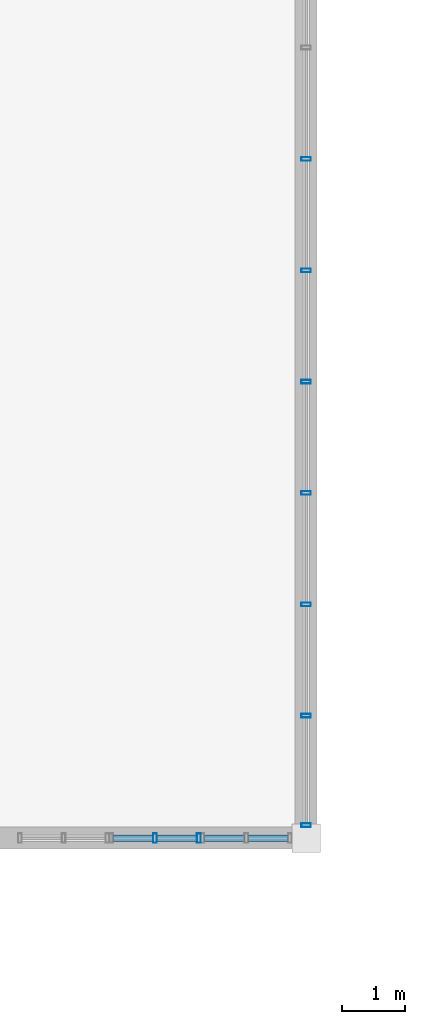
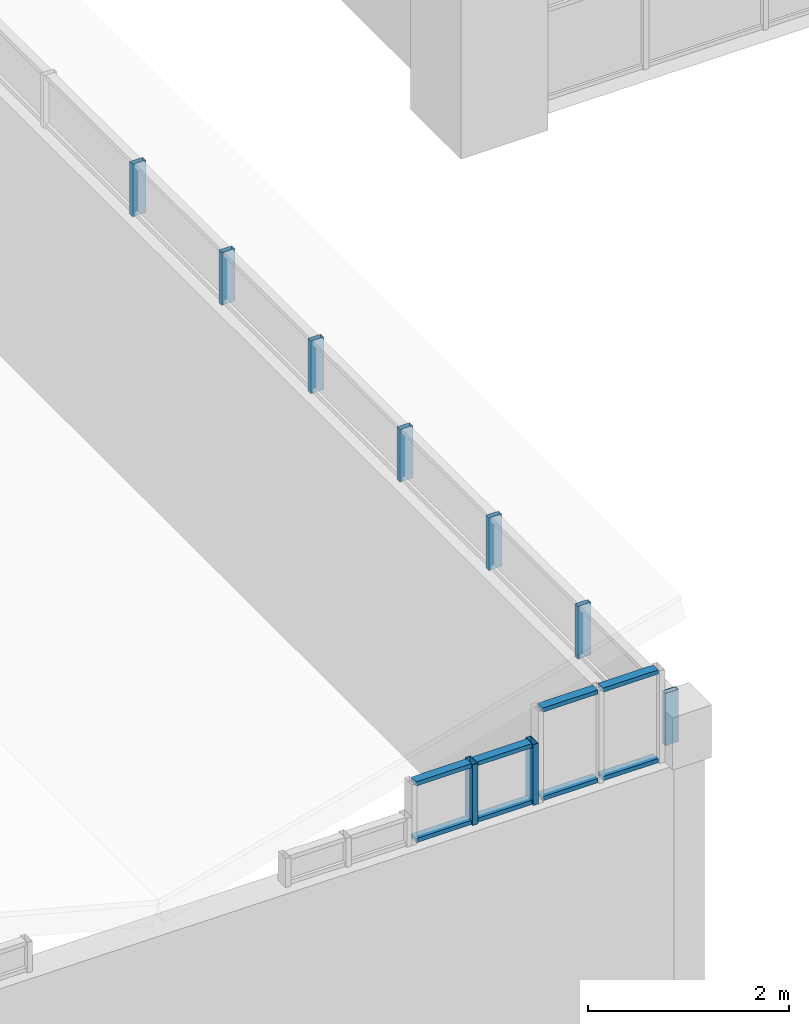
# One storey, part 46 of 92: 17 members, 3 elements without a shape of their own.
"""IFC4 building model written with IfcOpenShell, lengths in metres."""

from ifc_helpers import new_model, si_unit, direction, frame, origin, origin_2d, place, context, subcontext, project, spatial, hollow_rectangle, extrude, material, material_profile, profile_set, type_object, element, aggregate, save


model = new_model("IFC4")

# Units and contexts
model_context = context("Model", 3, precision=1e-05, world=origin(), true_north=direction((0.0, 1.0)))
body_context = subcontext(model_context, "Body", "Model", "MODEL_VIEW")
ifc_project = project(units=[si_unit("LENGTHUNIT", "METRE"), si_unit("AREAUNIT", "SQUARE_METRE"), si_unit("VOLUMEUNIT", "CUBIC_METRE"), si_unit("PLANEANGLEUNIT", "RADIAN"), si_unit("MASSUNIT", "GRAM", prefix="KILO")], contexts=[model_context])

# Site, building, storey
site_placement = place(None, origin())
site = spatial("IfcSite", under=ifc_project, at=site_placement, CompositionType="ELEMENT")
building_placement = place(site_placement, origin())
building = spatial("IfcBuilding", under=site, at=building_placement, Name="Laocheng Heights Fire and Rescue Headquarters", CompositionType="ELEMENT")
storey_placement = place(building_placement, frame((0.0, 0.0, 12.60009765625)))
storey = spatial("IfcBuildingStorey", under=building, at=storey_placement, Name="L03", CompositionType="ELEMENT", Elevation=12.60009765625)

# Curtain wall, members
ifc_material_1 = material(Name="Dark anodised aluminium unitised curtain wall, low-e double glazing", Category="aluminium")
curtain_wall_type_1 = type_object("IfcCurtainWallType", Name="CW 21250 x 636 THEATRE CLERESTORY", PredefinedType="NOTDEFINED", material=ifc_material_1)
curtain_wall_1_placement = place(storey_placement, origin())
curtain_wall_1 = element("IfcCurtainWall", 1, at=curtain_wall_1_placement, inside=storey, type_object=curtain_wall_type_1, Name="X5-V THEATRE CLERESTORY EAST", PredefinedType="NOTDEFINED")
ifc_material_2 = material(Name="Dark anodised aluminium 6063-T5 extrusion", Category="aluminium")
ifc_material_profile_1 = material_profile(ifc_material_2, hollow_rectangle(XDim=0.14990234375, YDim=0.06005859375, WallThickness=0.0029296875, at=origin_2d()), Name="AL MULLION 150x60x3 THEATRE CLERESTORY")
ifc_profile_set_1 = profile_set([ifc_material_profile_1], Name="Dark anodised aluminium 6063-T5 extrusion")
member_type_1 = type_object("IfcMemberType", Name="AL MULLION 150x60x3 THEATRE CLERESTORY", PredefinedType="MULLION", material=ifc_profile_set_1)
member_1_placement = place(storey_placement, frame((30.0, 36.205078125, 3.14990234375), z_axis=(0.0, 0.0, 1.0), x_axis=(-1.0, 0.0, 0.0)))
member_1 = element("IfcMember", 2, at=member_1_placement, type_object=member_type_1, Name="X5-V mullion 1", PredefinedType="MULLION", context=body_context, shape_type="SweptSolid", body=[
    extrude(hollow_rectangle(XDim=0.14990234375, YDim=0.06005859375, WallThickness=0.0029296875, at=origin_2d()), origin(), (0.0, 0.0, 1.0), 0.63623046875),
])
member_2_placement = place(storey_placement, frame((30.0, 37.94580078125, 3.14990234375), z_axis=(0.0, 0.0, 1.0), x_axis=(-1.0, 0.0, 0.0)))
member_2 = element("IfcMember", 3, at=member_2_placement, type_object=member_type_1, Name="X5-V mullion 2", PredefinedType="MULLION", context=body_context, shape_type="SweptSolid", body=[
    extrude(hollow_rectangle(XDim=0.14990234375, YDim=0.06005859375, WallThickness=0.0029296875, at=origin_2d()), origin(), (0.0, 0.0, 1.0), 0.63623046875),
])
member_3_placement = place(storey_placement, frame((30.0, 39.716552734375, 3.14990234375), z_axis=(0.0, 0.0, 1.0), x_axis=(-1.0, 0.0, 0.0)))
member_3 = element("IfcMember", 4, at=member_3_placement, type_object=member_type_1, Name="X5-V mullion 3", PredefinedType="MULLION", context=body_context, shape_type="SweptSolid", body=[
    extrude(hollow_rectangle(XDim=0.14990234375, YDim=0.06005859375, WallThickness=0.0029296875, at=origin_2d()), origin(), (0.0, 0.0, 1.0), 0.63623046875),
])
member_4_placement = place(storey_placement, frame((30.0, 41.487548828125, 3.14990234375), z_axis=(0.0, 0.0, 1.0), x_axis=(-1.0, 0.0, 0.0)))
member_4 = element("IfcMember", 5, at=member_4_placement, type_object=member_type_1, Name="X5-V mullion 4", PredefinedType="MULLION", context=body_context, shape_type="SweptSolid", body=[
    extrude(hollow_rectangle(XDim=0.14990234375, YDim=0.06005859375, WallThickness=0.0029296875, at=origin_2d()), origin(), (0.0, 0.0, 1.0), 0.63623046875),
])
member_5_placement = place(storey_placement, frame((30.0, 43.25830078125, 3.14990234375), z_axis=(0.0, 0.0, 1.0), x_axis=(-1.0, 0.0, 0.0)))
member_5 = element("IfcMember", 6, at=member_5_placement, type_object=member_type_1, Name="X5-V mullion 5", PredefinedType="MULLION", context=body_context, shape_type="SweptSolid", body=[
    extrude(hollow_rectangle(XDim=0.14990234375, YDim=0.06005859375, WallThickness=0.0029296875, at=origin_2d()), origin(), (0.0, 0.0, 1.0), 0.63623046875),
])
member_6_placement = place(storey_placement, frame((30.0, 45.029052734375, 3.14990234375), z_axis=(0.0, 0.0, 1.0), x_axis=(-1.0, 0.0, 0.0)))
member_6 = element("IfcMember", 7, at=member_6_placement, type_object=member_type_1, Name="X5-V mullion 6", PredefinedType="MULLION", context=body_context, shape_type="SweptSolid", body=[
    extrude(hollow_rectangle(XDim=0.14990234375, YDim=0.06005859375, WallThickness=0.0029296875, at=origin_2d()), origin(), (0.0, 0.0, 1.0), 0.63623046875),
])
member_7_placement = place(storey_placement, frame((30.0, 46.800048828125, 3.14990234375), z_axis=(0.0, 0.0, 1.0), x_axis=(-1.0, 0.0, 0.0)))
member_7 = element("IfcMember", 8, at=member_7_placement, type_object=member_type_1, Name="X5-V mullion 7", PredefinedType="MULLION", context=body_context, shape_type="SweptSolid", body=[
    extrude(hollow_rectangle(XDim=0.14990234375, YDim=0.06005859375, WallThickness=0.0029296875, at=origin_2d()), origin(), (0.0, 0.0, 1.0), 0.63623046875),
])
aggregate(curtain_wall_1, [member_1, member_2, member_3, member_4, member_5, member_6, member_7])

ifc_material_3 = material(Name="Dark anodised aluminium unitised curtain wall, low-e double glazing", Category="aluminium")
curtain_wall_type_2 = type_object("IfcCurtainWallType", Name="CW 1452 x 738 THEATRE GABLE UNIT", PredefinedType="NOTDEFINED", material=ifc_material_3)
curtain_wall_2_placement = place(storey_placement, origin())
curtain_wall_2 = element("IfcCurtainWall", 9, at=curtain_wall_2_placement, inside=storey, type_object=curtain_wall_type_2, Name="X13-V THEATRE SOUTH GABLE 11", PredefinedType="NOTDEFINED")
ifc_material_4 = material(Name="Dark anodised aluminium 6063-T5 extrusion", Category="aluminium")
ifc_material_profile_2 = material_profile(ifc_material_4, hollow_rectangle(XDim=0.14990234375, YDim=0.06005859375, WallThickness=0.0029296875, at=origin_2d()), Name="AL MULLION 150x60x3 THEATRE GABLE UNIT")
ifc_profile_set_2 = profile_set([ifc_material_profile_2], Name="Dark anodised aluminium 6063-T5 extrusion")
member_type_2 = type_object("IfcMemberType", Name="AL MULLION 150x60x3 THEATRE GABLE UNIT", PredefinedType="MULLION", material=ifc_profile_set_2)
member_8_placement = place(storey_placement, frame((27.596923828125, 36.0, 3.158447265625), z_axis=(0.0, 0.0, 1.0), x_axis=(0.0, 1.0, 0.0)))
member_8 = element("IfcMember", 10, at=member_8_placement, type_object=member_type_2, Name="X13-V mullion 2", PredefinedType="MULLION", context=body_context, shape_type="SweptSolid", body=[
    extrude(hollow_rectangle(XDim=0.14990234375, YDim=0.06005859375, WallThickness=0.0029296875, at=origin_2d()), origin(), (0.0, 0.0, 1.0), 0.73828125),
])
member_9_placement = place(storey_placement, frame((28.29296875, 36.0, 3.158447265625), z_axis=(0.0, 0.0, 1.0), x_axis=(0.0, 1.0, 0.0)))
member_9 = element("IfcMember", 11, at=member_9_placement, type_object=member_type_2, Name="X13-V mullion 3", PredefinedType="MULLION", context=body_context, shape_type="SweptSolid", body=[
    extrude(hollow_rectangle(XDim=0.14990234375, YDim=0.06005859375, WallThickness=0.0029296875, at=origin_2d()), origin(), (0.0, 0.0, 1.0), 0.73828125),
])
ifc_material_5 = material(Name="Dark anodised aluminium 6063-T5 extrusion", Category="aluminium")
ifc_material_profile_3 = material_profile(ifc_material_5, hollow_rectangle(XDim=0.10009765625, YDim=0.050048828125, WallThickness=0.0029296875, at=origin_2d()), Name="AL TRANSOM 100x50x3 THEATRE GABLE UNIT")
ifc_profile_set_3 = profile_set([ifc_material_profile_3], Name="Dark anodised aluminium 6063-T5 extrusion")
member_type_3 = type_object("IfcMemberType", Name="AL TRANSOM 100x50x3 THEATRE GABLE UNIT", PredefinedType="USERDEFINED", material=ifc_profile_set_3)
member_10_placement = place(storey_placement, frame((26.930908203125, 36.0, 3.183349609375), z_axis=(1.0, 0.0, 0.0), x_axis=(0.0, 1.0, 0.0)))
member_10 = element("IfcMember", 12, at=member_10_placement, type_object=member_type_3, Name="X13-V transom 1.1", ObjectType="TRANSOM", PredefinedType="USERDEFINED", context=body_context, shape_type="SweptSolid", body=[
    extrude(hollow_rectangle(XDim=0.10009765625, YDim=0.050048828125, WallThickness=0.0029296875, at=origin_2d()), origin(), (0.0, 0.0, 1.0), 0.635986328125),
])
member_11_placement = place(storey_placement, frame((26.930908203125, 36.0, 3.87158203125), z_axis=(1.0, 0.0, 0.0), x_axis=(0.0, 1.0, 0.0)))
member_11 = element("IfcMember", 13, at=member_11_placement, type_object=member_type_3, Name="X13-V transom 1.2", ObjectType="TRANSOM", PredefinedType="USERDEFINED", context=body_context, shape_type="SweptSolid", body=[
    extrude(hollow_rectangle(XDim=0.10009765625, YDim=0.050048828125, WallThickness=0.0029296875, at=origin_2d()), origin(), (0.0, 0.0, 1.0), 0.635986328125),
])
member_12_placement = place(storey_placement, frame((27.626953125, 36.0, 3.183349609375), z_axis=(1.0, 0.0, 0.0), x_axis=(0.0, 1.0, 0.0)))
member_12 = element("IfcMember", 14, at=member_12_placement, type_object=member_type_3, Name="X13-V transom 2.1", ObjectType="TRANSOM", PredefinedType="USERDEFINED", context=body_context, shape_type="SweptSolid", body=[
    extrude(hollow_rectangle(XDim=0.10009765625, YDim=0.050048828125, WallThickness=0.0029296875, at=origin_2d()), origin(), (0.0, 0.0, 1.0), 0.635986328125),
])
member_13_placement = place(storey_placement, frame((27.626953125, 36.0, 3.87158203125), z_axis=(1.0, 0.0, 0.0), x_axis=(0.0, 1.0, 0.0)))
member_13 = element("IfcMember", 15, at=member_13_placement, type_object=member_type_3, Name="X13-V transom 2.2", ObjectType="TRANSOM", PredefinedType="USERDEFINED", context=body_context, shape_type="SweptSolid", body=[
    extrude(hollow_rectangle(XDim=0.10009765625, YDim=0.050048828125, WallThickness=0.0029296875, at=origin_2d()), origin(), (0.0, 0.0, 1.0), 0.635986328125),
])
aggregate(curtain_wall_2, [member_8, member_9, member_10, member_11, member_12, member_13])

ifc_material_6 = material(Name="Dark anodised aluminium unitised curtain wall, low-e double glazing", Category="aluminium")
curtain_wall_type_3 = type_object("IfcCurtainWallType", Name="CW 1452 x 1126 THEATRE GABLE UNIT", PredefinedType="NOTDEFINED", material=ifc_material_6)
curtain_wall_3_placement = place(storey_placement, origin())
curtain_wall_3 = element("IfcCurtainWall", 16, at=curtain_wall_3_placement, inside=storey, type_object=curtain_wall_type_3, Name="X14-V THEATRE SOUTH GABLE 12", PredefinedType="NOTDEFINED")
member_14_placement = place(storey_placement, frame((28.3828125, 36.0, 3.183349609375), z_axis=(1.0, 0.0, 0.0), x_axis=(0.0, 1.0, 0.0)))
member_14 = element("IfcMember", 17, at=member_14_placement, type_object=member_type_3, Name="X14-V transom 1.1", ObjectType="TRANSOM", PredefinedType="USERDEFINED", context=body_context, shape_type="SweptSolid", body=[
    extrude(hollow_rectangle(XDim=0.10009765625, YDim=0.050048828125, WallThickness=0.0029296875, at=origin_2d()), origin(), (0.0, 0.0, 1.0), 0.63623046875),
])
member_15_placement = place(storey_placement, frame((28.3828125, 36.0, 4.2587890625), z_axis=(1.0, 0.0, 0.0), x_axis=(0.0, 1.0, 0.0)))
member_15 = element("IfcMember", 18, at=member_15_placement, type_object=member_type_3, Name="X14-V transom 1.2", ObjectType="TRANSOM", PredefinedType="USERDEFINED", context=body_context, shape_type="SweptSolid", body=[
    extrude(hollow_rectangle(XDim=0.10009765625, YDim=0.050048828125, WallThickness=0.0029296875, at=origin_2d()), origin(), (0.0, 0.0, 1.0), 0.63623046875),
])
member_16_placement = place(storey_placement, frame((29.078857421875, 36.0, 3.183349609375), z_axis=(1.0, 0.0, 0.0), x_axis=(0.0, 1.0, 0.0)))
member_16 = element("IfcMember", 19, at=member_16_placement, type_object=member_type_3, Name="X14-V transom 2.1", ObjectType="TRANSOM", PredefinedType="USERDEFINED", context=body_context, shape_type="SweptSolid", body=[
    extrude(hollow_rectangle(XDim=0.10009765625, YDim=0.050048828125, WallThickness=0.0029296875, at=origin_2d()), origin(), (0.0, 0.0, 1.0), 0.63623046875),
])
member_17_placement = place(storey_placement, frame((29.078857421875, 36.0, 4.2587890625), z_axis=(1.0, 0.0, 0.0), x_axis=(0.0, 1.0, 0.0)))
member_17 = element("IfcMember", 20, at=member_17_placement, type_object=member_type_3, Name="X14-V transom 2.2", ObjectType="TRANSOM", PredefinedType="USERDEFINED", context=body_context, shape_type="SweptSolid", body=[
    extrude(hollow_rectangle(XDim=0.10009765625, YDim=0.050048828125, WallThickness=0.0029296875, at=origin_2d()), origin(), (0.0, 0.0, 1.0), 0.63623046875),
])
aggregate(curtain_wall_3, [member_14, member_15, member_16, member_17])

save(model, "model.ifc")
